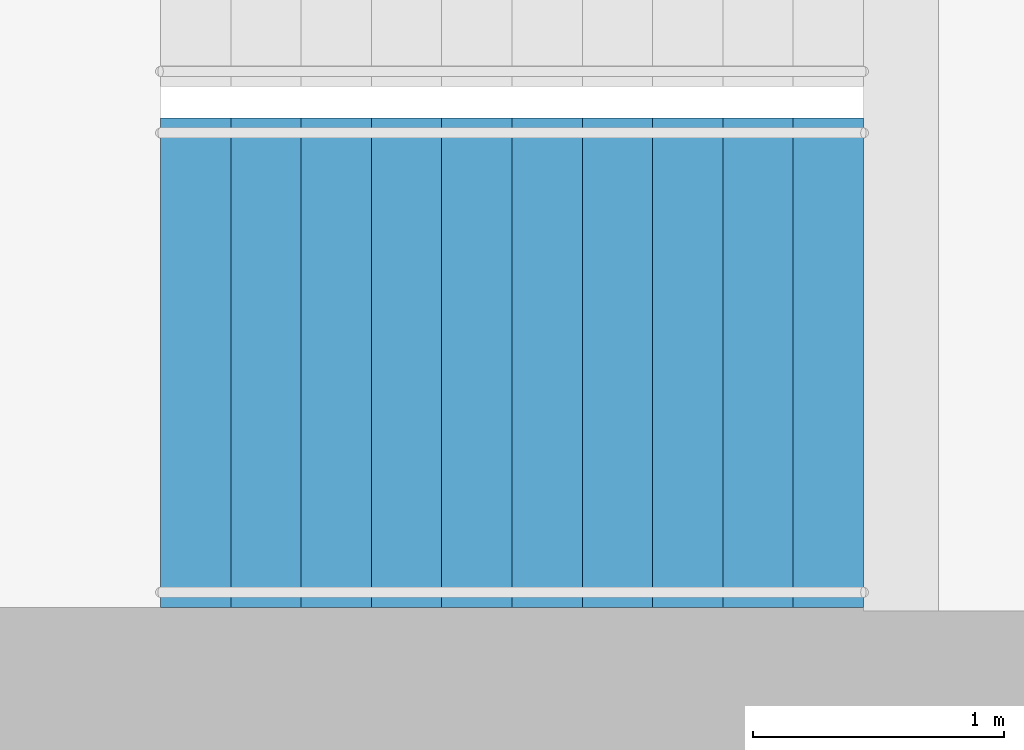
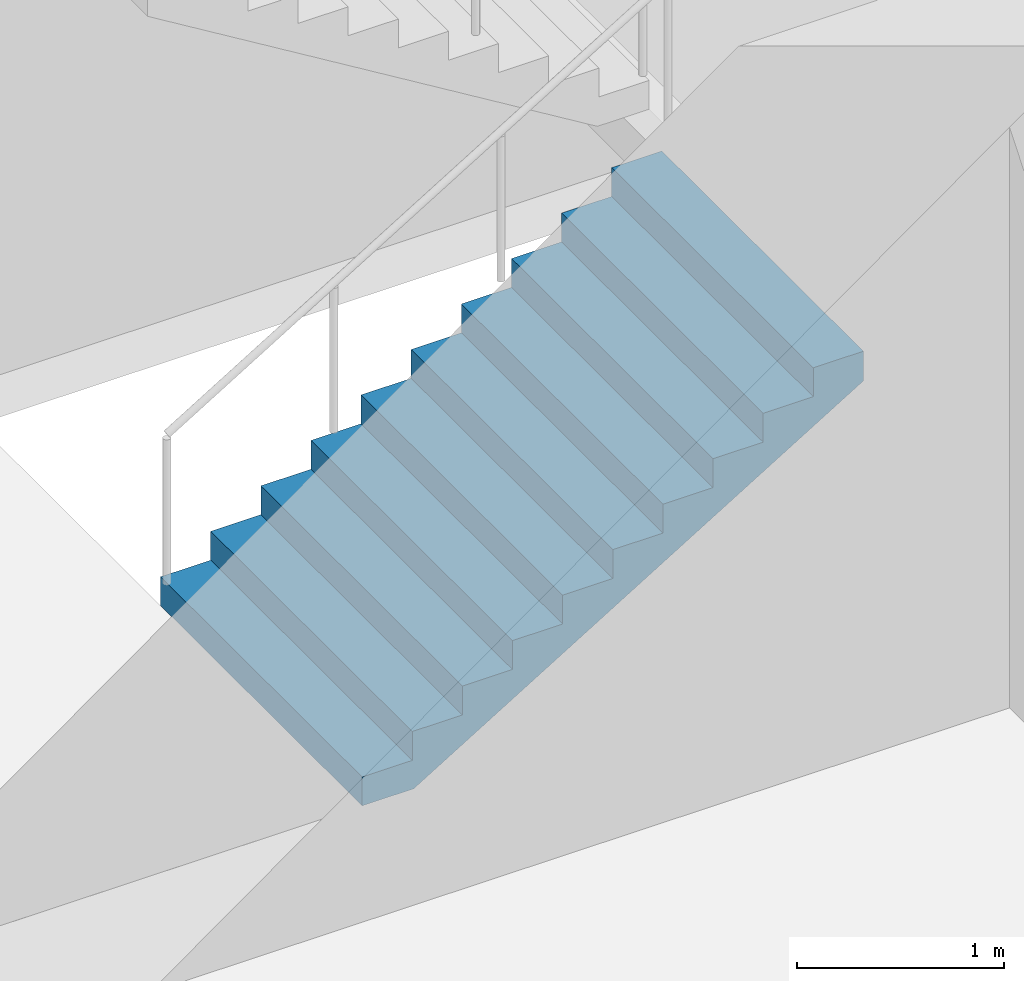
# One storey, part 18 of 22: 1 stair flight, 1 element without a shape of its own.
"""IFC4 building model written with IfcOpenShell, lengths in metres."""

from ifc_helpers import new_model, si_unit, direction, frame, origin, place, context, subcontext, project, spatial, triangles, material, type_object, element, aggregate, save


model = new_model("IFC4")

# Units and contexts
model_context = context("Model", 3, precision=1e-05, world=origin(), true_north=direction((0.0, 1.0)))
body_context = subcontext(model_context, "Body", "Model", "MODEL_VIEW")
ifc_project = project(units=[si_unit("LENGTHUNIT", "METRE"), si_unit("AREAUNIT", "SQUARE_METRE"), si_unit("VOLUMEUNIT", "CUBIC_METRE"), si_unit("PLANEANGLEUNIT", "RADIAN"), si_unit("MASSUNIT", "GRAM", prefix="KILO")], contexts=[model_context])

# Site, building, storey
site_placement = place(None, origin())
site = spatial("IfcSite", under=ifc_project, at=site_placement, CompositionType="ELEMENT")
building_placement = place(site_placement, origin())
building = spatial("IfcBuilding", under=site, at=building_placement, Name="Orbita Commons", CompositionType="ELEMENT")
storey_placement = place(building_placement, frame((0.0, 0.0, 186.10009765625)))
storey = spatial("IfcBuildingStorey", under=building, at=storey_placement, Name="L46", CompositionType="ELEMENT", Elevation=186.10009765625)

# Stair, stair flight
ifc_material_1 = material(Name="Precast concrete C40/50", Category="concrete")
stair_type = type_object("IfcStairType", Name="Exit stair S1 2 flights 11 risers 170", PredefinedType="HALF_TURN_STAIR", material=ifc_material_1)
stair_placement = place(storey_placement, origin())
stair = element("IfcStair", 1, at=stair_placement, inside=storey, type_object=stair_type, Name="Exit stair S1 L46", PredefinedType="HALF_TURN_STAIR")
ifc_material_2 = material(Name="Precast concrete C40/50", Category="concrete")
stair_flight_type = type_object("IfcStairFlightType", Name="Stair flight 11 risers 170 x 280", PredefinedType="STRAIGHT", material=ifc_material_2)
stair_flight_placement = place(storey_placement, frame((20.449951171875, 27.199951171875, 0.0), z_axis=(0.0, 0.0, 1.0), x_axis=(1.0, 0.0, 0.0)))
stair_flight = element("IfcStairFlight", 2, at=stair_flight_placement, type_object=stair_flight_type, Name="S1 flight 1", NumberOfRisers=11, NumberOfTreads=10, PredefinedType="STRAIGHT", RiserHeight=0.170454545, TreadLength=0.28, context=body_context, shape_type="Tessellation", body=[
    triangles([(0.0, 0.974976, 0.0), (0.0, 0.974976, 0.021307), (0.0, 0.81248, 0.021307), (0.0, 0.81248, 0.0), (0.0, 0.649984, 0.021307), (0.0, 0.649984, 0.0), (0.0, 0.487488, 0.021307), (0.0, 0.487488, 0.0), (0.0, 0.324992, 0.021307), (0.0, 0.324992, 0.0), (0.0, 0.162496, 0.021307), (0.0, 0.162496, 0.0), (0.0, 0.0, 0.021307), (0.0, 0.0, 0.0), (0.0, -0.162496, 0.021307), (0.0, -0.162496, 0.0), (0.0, -0.324992, 0.021307), (0.0, -0.324992, 0.0), (0.0, -0.487488, 0.021307), (0.0, -0.487488, 0.0), (0.0, -0.649984, 0.021307), (0.0, -0.649984, 0.0), (0.0, -0.81248, 0.021307), (0.0, -0.81248, 0.0), (0.0, -0.974976, 0.021307), (0.0, -0.974976, 0.0), (0.0, 0.974976, 0.042614), (0.0, 0.81248, 0.042614), (0.0, 0.649984, 0.042614), (0.0, 0.487488, 0.042614), (0.0, 0.324992, 0.042614), (0.0, 0.162496, 0.042614), (0.0, 0.0, 0.042614), (0.0, -0.162496, 0.042614), (0.0, -0.324992, 0.042614), (0.0, -0.487488, 0.042614), (0.0, -0.649984, 0.042614), (0.0, -0.81248, 0.042614), (0.0, -0.974976, 0.042614), (0.0, 0.974976, 0.06392), (0.0, 0.81248, 0.06392), (0.0, 0.649984, 0.06392), (0.0, 0.487488, 0.06392), (0.0, 0.324992, 0.06392), (0.0, 0.162496, 0.06392), (0.0, 0.0, 0.06392), (0.0, -0.162496, 0.06392), (0.0, -0.324992, 0.06392), (0.0, -0.487488, 0.06392), (0.0, -0.649984, 0.06392), (0.0, -0.81248, 0.06392), (0.0, -0.974976, 0.06392), (0.0, 0.974976, 0.085227), (0.0, 0.81248, 0.085227), (0.0, 0.649984, 0.085227), (0.0, 0.487488, 0.085227), (0.0, 0.324992, 0.085227), (0.0, 0.162496, 0.085227), (0.0, 0.0, 0.085227), (0.0, -0.162496, 0.085227), (0.0, -0.324992, 0.085227), (0.0, -0.487488, 0.085227), (0.0, -0.649984, 0.085227), (0.0, -0.81248, 0.085227), (0.0, -0.974976, 0.085227), (0.0, 0.974976, 0.106534), (0.0, 0.81248, 0.106534), (0.0, 0.649984, 0.106534), (0.0, 0.487488, 0.106534), (0.0, 0.324992, 0.106534), (0.0, 0.162496, 0.106534), (0.0, 0.0, 0.106534), (0.0, -0.162496, 0.106534), (0.0, -0.324992, 0.106534), (0.0, -0.487488, 0.106534), (0.0, -0.649984, 0.106534), (0.0, -0.81248, 0.106534), (0.0, -0.974976, 0.106534), (0.0, 0.974976, 0.127841), (0.0, 0.81248, 0.127841), (0.0, 0.649984, 0.127841), (0.0, 0.487488, 0.127841), (0.0, 0.324992, 0.127841), (0.0, 0.162496, 0.127841), (0.0, 0.0, 0.127841), (0.0, -0.162496, 0.127841), (0.0, -0.324992, 0.127841), (0.0, -0.487488, 0.127841), (0.0, -0.649984, 0.127841), (0.0, -0.81248, 0.127841), (0.0, -0.974976, 0.127841), (0.0, 0.974976, 0.149148), (0.0, 0.81248, 0.149148), (0.0, 0.649984, 0.149148), (0.0, 0.487488, 0.149148), (0.0, 0.324992, 0.149148), (0.0, 0.162496, 0.149148), (0.0, 0.0, 0.149148), (0.0, -0.162496, 0.149148), (0.0, -0.324992, 0.149148), (0.0, -0.487488, 0.149148), (0.0, -0.649984, 0.149148), (0.0, -0.81248, 0.149148), (0.0, -0.974976, 0.149148), (0.0, 0.974976, 0.170455), (0.0, 0.81248, 0.170455), (0.0, 0.649984, 0.170455), (0.0, 0.487488, 0.170455), (0.0, 0.324992, 0.170455), (0.0, 0.162496, 0.170455), (0.0, 0.0, 0.170455), (0.0, -0.162496, 0.170455), (0.0, -0.324992, 0.170455), (0.0, -0.487488, 0.170455), (0.0, -0.649984, 0.170455), (0.0, -0.81248, 0.170455), (0.0, -0.974976, 0.170455), (0.28, 0.974976, 0.170455), (0.28, 0.81248, 0.170455), (0.28, 0.649984, 0.170455), (0.28, 0.487488, 0.170455), (0.28, 0.324992, 0.170455), (0.28, 0.162496, 0.170455), (0.28, 0.0, 0.170455), (0.28, -0.162496, 0.170455), (0.28, -0.324992, 0.170455), (0.28, -0.487488, 0.170455), (0.28, -0.649984, 0.170455), (0.28, -0.81248, 0.170455), (0.28, -0.974976, 0.170455), (0.28, 0.974976, 0.340909), (0.28, 0.81248, 0.340909), (0.28, 0.649984, 0.340909), (0.28, 0.487488, 0.340909), (0.28, 0.324992, 0.340909), (0.28, 0.162496, 0.340909), (0.28, 0.0, 0.340909), (0.28, -0.162496, 0.340909), (0.28, -0.324992, 0.340909), (0.28, -0.487488, 0.340909), (0.28, -0.649984, 0.340909), (0.28, -0.81248, 0.340909), (0.28, -0.974976, 0.340909), (0.56, 0.974976, 0.340909), (0.56, 0.81248, 0.340909), (0.56, 0.649984, 0.340909), (0.56, 0.487488, 0.340909), (0.56, 0.324992, 0.340909), (0.56, 0.162496, 0.340909), (0.56, 0.0, 0.340909), (0.56, -0.162496, 0.340909), (0.56, -0.324992, 0.340909), (0.56, -0.487488, 0.340909), (0.56, -0.649984, 0.340909), (0.56, -0.81248, 0.340909), (0.56, -0.974976, 0.340909), (0.56, 0.974976, 0.511364), (0.56, 0.81248, 0.511364), (0.56, 0.649984, 0.511364), (0.56, 0.487488, 0.511364), (0.56, 0.324992, 0.511364), (0.56, 0.162496, 0.511364), (0.56, 0.0, 0.511364), (0.56, -0.162496, 0.511364), (0.56, -0.324992, 0.511364), (0.56, -0.487488, 0.511364), (0.56, -0.649984, 0.511364), (0.56, -0.81248, 0.511364), (0.56, -0.974976, 0.511364), (0.84, 0.974976, 0.511364), (0.84, 0.81248, 0.511364), (0.84, 0.649984, 0.511364), (0.84, 0.487488, 0.511364), (0.84, 0.324992, 0.511364), (0.84, 0.162496, 0.511364), (0.84, 0.0, 0.511364), (0.84, -0.162496, 0.511364), (0.84, -0.324992, 0.511364), (0.84, -0.487488, 0.511364), (0.84, -0.649984, 0.511364), (0.84, -0.81248, 0.511364), (0.84, -0.974976, 0.511364), (0.84, 0.974976, 0.681818), (0.84, 0.81248, 0.681818), (0.84, 0.649984, 0.681818), (0.84, 0.487488, 0.681818), (0.84, 0.324992, 0.681818), (0.84, 0.162496, 0.681818), (0.84, 0.0, 0.681818), (0.84, -0.162496, 0.681818), (0.84, -0.324992, 0.681818), (0.84, -0.487488, 0.681818), (0.84, -0.649984, 0.681818), (0.84, -0.81248, 0.681818), (0.84, -0.974976, 0.681818), (1.12, 0.974976, 0.681818), (1.12, 0.81248, 0.681818), (1.12, 0.649984, 0.681818), (1.12, 0.487488, 0.681818), (1.12, 0.324992, 0.681818), (1.12, 0.162496, 0.681818), (1.12, 0.0, 0.681818), (1.12, -0.162496, 0.681818), (1.12, -0.324992, 0.681818), (1.12, -0.487488, 0.681818), (1.12, -0.649984, 0.681818), (1.12, -0.81248, 0.681818), (1.12, -0.974976, 0.681818), (1.12, 0.974976, 0.852273), (1.12, 0.81248, 0.852273), (1.12, 0.649984, 0.852273), (1.12, 0.487488, 0.852273), (1.12, 0.324992, 0.852273), (1.12, 0.162496, 0.852273), (1.12, 0.0, 0.852273), (1.12, -0.162496, 0.852273), (1.12, -0.324992, 0.852273), (1.12, -0.487488, 0.852273), (1.12, -0.649984, 0.852273), (1.12, -0.81248, 0.852273), (1.12, -0.974976, 0.852273), (1.4, 0.974976, 0.852273), (1.4, 0.81248, 0.852273), (1.4, 0.649984, 0.852273), (1.4, 0.487488, 0.852273), (1.4, 0.324992, 0.852273), (1.4, 0.162496, 0.852273), (1.4, 0.0, 0.852273), (1.4, -0.162496, 0.852273), (1.4, -0.324992, 0.852273), (1.4, -0.487488, 0.852273), (1.4, -0.649984, 0.852273), (1.4, -0.81248, 0.852273), (1.4, -0.974976, 0.852273), (1.4, 0.974976, 1.022727), (1.4, 0.81248, 1.022727), (1.4, 0.649984, 1.022727), (1.4, 0.487488, 1.022727), (1.4, 0.324992, 1.022727), (1.4, 0.162496, 1.022727), (1.4, 0.0, 1.022727), (1.4, -0.162496, 1.022727), (1.4, -0.324992, 1.022727), (1.4, -0.487488, 1.022727), (1.4, -0.649984, 1.022727), (1.4, -0.81248, 1.022727), (1.4, -0.974976, 1.022727), (1.68, 0.974976, 1.022727), (1.68, 0.81248, 1.022727), (1.68, 0.649984, 1.022727), (1.68, 0.487488, 1.022727), (1.68, 0.324992, 1.022727), (1.68, 0.162496, 1.022727), (1.68, 0.0, 1.022727), (1.68, -0.162496, 1.022727), (1.68, -0.324992, 1.022727), (1.68, -0.487488, 1.022727), (1.68, -0.649984, 1.022727), (1.68, -0.81248, 1.022727), (1.68, -0.974976, 1.022727), (1.68, 0.974976, 1.193182), (1.68, 0.81248, 1.193182), (1.68, 0.649984, 1.193182), (1.68, 0.487488, 1.193182), (1.68, 0.324992, 1.193182), (1.68, 0.162496, 1.193182), (1.68, 0.0, 1.193182), (1.68, -0.162496, 1.193182), (1.68, -0.324992, 1.193182), (1.68, -0.487488, 1.193182), (1.68, -0.649984, 1.193182), (1.68, -0.81248, 1.193182), (1.68, -0.974976, 1.193182), (1.96, 0.974976, 1.193182), (1.96, 0.81248, 1.193182), (1.96, 0.649984, 1.193182), (1.96, 0.487488, 1.193182), (1.96, 0.324992, 1.193182), (1.96, 0.162496, 1.193182), (1.96, 0.0, 1.193182), (1.96, -0.162496, 1.193182), (1.96, -0.324992, 1.193182), (1.96, -0.487488, 1.193182), (1.96, -0.649984, 1.193182), (1.96, -0.81248, 1.193182), (1.96, -0.974976, 1.193182), (1.96, 0.974976, 1.363636), (1.96, 0.81248, 1.363636), (1.96, 0.649984, 1.363636), (1.96, 0.487488, 1.363636), (1.96, 0.324992, 1.363636), (1.96, 0.162496, 1.363636), (1.96, 0.0, 1.363636), (1.96, -0.162496, 1.363636), (1.96, -0.324992, 1.363636), (1.96, -0.487488, 1.363636), (1.96, -0.649984, 1.363636), (1.96, -0.81248, 1.363636), (1.96, -0.974976, 1.363636), (2.24, 0.974976, 1.363636), (2.24, 0.81248, 1.363636), (2.24, 0.649984, 1.363636), (2.24, 0.487488, 1.363636), (2.24, 0.324992, 1.363636), (2.24, 0.162496, 1.363636), (2.24, 0.0, 1.363636), (2.24, -0.162496, 1.363636), (2.24, -0.324992, 1.363636), (2.24, -0.487488, 1.363636), (2.24, -0.649984, 1.363636), (2.24, -0.81248, 1.363636), (2.24, -0.974976, 1.363636), (2.24, 0.974976, 1.534091), (2.24, 0.81248, 1.534091), (2.24, 0.649984, 1.534091), (2.24, 0.487488, 1.534091), (2.24, 0.324992, 1.534091), (2.24, 0.162496, 1.534091), (2.24, 0.0, 1.534091), (2.24, -0.162496, 1.534091), (2.24, -0.324992, 1.534091), (2.24, -0.487488, 1.534091), (2.24, -0.649984, 1.534091), (2.24, -0.81248, 1.534091), (2.24, -0.974976, 1.534091), (2.52, 0.974976, 1.534091), (2.52, 0.81248, 1.534091), (2.52, 0.649984, 1.534091), (2.52, 0.487488, 1.534091), (2.52, 0.324992, 1.534091), (2.52, 0.162496, 1.534091), (2.52, 0.0, 1.534091), (2.52, -0.162496, 1.534091), (2.52, -0.324992, 1.534091), (2.52, -0.487488, 1.534091), (2.52, -0.649984, 1.534091), (2.52, -0.81248, 1.534091), (2.52, -0.974976, 1.534091), (2.52, 0.974976, 1.704545), (2.52, 0.81248, 1.704545), (2.52, 0.649984, 1.704545), (2.52, 0.487488, 1.704545), (2.52, 0.324992, 1.704545), (2.52, 0.162496, 1.704545), (2.52, 0.0, 1.704545), (2.52, -0.162496, 1.704545), (2.52, -0.324992, 1.704545), (2.52, -0.487488, 1.704545), (2.52, -0.649984, 1.704545), (2.52, -0.81248, 1.704545), (2.52, -0.974976, 1.704545), (2.8, 0.974976, 1.704545), (2.8, 0.81248, 1.704545), (2.8, 0.649984, 1.704545), (2.8, 0.487488, 1.704545), (2.8, 0.324992, 1.704545), (2.8, 0.162496, 1.704545), (2.8, 0.0, 1.704545), (2.8, -0.162496, 1.704545), (2.8, -0.324992, 1.704545), (2.8, -0.487488, 1.704545), (2.8, -0.649984, 1.704545), (2.8, -0.81248, 1.704545), (2.8, -0.974976, 1.704545), (2.8, 0.974976, 1.682609), (2.8, 0.81248, 1.682609), (2.8, 0.649984, 1.682609), (2.8, 0.487488, 1.682609), (2.8, 0.324992, 1.682609), (2.8, 0.162496, 1.682609), (2.8, 0.0, 1.682609), (2.8, -0.162496, 1.682609), (2.8, -0.324992, 1.682609), (2.8, -0.487488, 1.682609), (2.8, -0.649984, 1.682609), (2.8, -0.81248, 1.682609), (2.8, -0.974976, 1.682609), (2.8, 0.974976, 1.660672), (2.8, 0.81248, 1.660672), (2.8, 0.649984, 1.660672), (2.8, 0.487488, 1.660672), (2.8, 0.324992, 1.660672), (2.8, 0.162496, 1.660672), (2.8, 0.0, 1.660672), (2.8, -0.162496, 1.660672), (2.8, -0.324992, 1.660672), (2.8, -0.487488, 1.660672), (2.8, -0.649984, 1.660672), (2.8, -0.81248, 1.660672), (2.8, -0.974976, 1.660672), (2.8, 0.974976, 1.638735), (2.8, 0.81248, 1.638735), (2.8, 0.649984, 1.638735), (2.8, 0.487488, 1.638735), (2.8, 0.324992, 1.638735), (2.8, 0.162496, 1.638735), (2.8, 0.0, 1.638735), (2.8, -0.162496, 1.638735), (2.8, -0.324992, 1.638735), (2.8, -0.487488, 1.638735), (2.8, -0.649984, 1.638735), (2.8, -0.81248, 1.638735), (2.8, -0.974976, 1.638735), (2.8, 0.974976, 1.616798), (2.8, 0.81248, 1.616798), (2.8, 0.649984, 1.616798), (2.8, 0.487488, 1.616798), (2.8, 0.324992, 1.616798), (2.8, 0.162496, 1.616798), (2.8, 0.0, 1.616798), (2.8, -0.162496, 1.616798), (2.8, -0.324992, 1.616798), (2.8, -0.487488, 1.616798), (2.8, -0.649984, 1.616798), (2.8, -0.81248, 1.616798), (2.8, -0.974976, 1.616798), (2.8, 0.974976, 1.594861), (2.8, 0.81248, 1.594861), (2.8, 0.649984, 1.594861), (2.8, 0.487488, 1.594861), (2.8, 0.324992, 1.594861), (2.8, 0.162496, 1.594861), (2.8, 0.0, 1.594861), (2.8, -0.162496, 1.594861), (2.8, -0.324992, 1.594861), (2.8, -0.487488, 1.594861), (2.8, -0.649984, 1.594861), (2.8, -0.81248, 1.594861), (2.8, -0.974976, 1.594861), (2.8, 0.974976, 1.572925), (2.8, 0.81248, 1.572925), (2.8, 0.649984, 1.572925), (2.8, 0.487488, 1.572925), (2.8, 0.324992, 1.572925), (2.8, 0.162496, 1.572925), (2.8, 0.0, 1.572925), (2.8, -0.162496, 1.572925), (2.8, -0.324992, 1.572925), (2.8, -0.487488, 1.572925), (2.8, -0.649984, 1.572925), (2.8, -0.81248, 1.572925), (2.8, -0.974976, 1.572925), (2.8, 0.974976, 1.550988), (2.8, 0.81248, 1.550988), (2.8, 0.649984, 1.550988), (2.8, 0.487488, 1.550988), (2.8, 0.324992, 1.550988), (2.8, 0.162496, 1.550988), (2.8, 0.0, 1.550988), (2.8, -0.162496, 1.550988), (2.8, -0.324992, 1.550988), (2.8, -0.487488, 1.550988), (2.8, -0.649984, 1.550988), (2.8, -0.81248, 1.550988), (2.8, -0.974976, 1.550988), (2.8, 0.974976, 1.529051), (2.8, 0.81248, 1.529051), (2.8, 0.649984, 1.529051), (2.8, 0.487488, 1.529051), (2.8, 0.324992, 1.529051), (2.8, 0.162496, 1.529051), (2.8, 0.0, 1.529051), (2.8, -0.162496, 1.529051), (2.8, -0.324992, 1.529051), (2.8, -0.487488, 1.529051), (2.8, -0.649984, 1.529051), (2.8, -0.81248, 1.529051), (2.8, -0.974976, 1.529051), (0.288279, 0.974976, 0.0), (0.288279, 0.81248, 0.0), (0.288279, 0.649984, 0.0), (0.288279, 0.487488, 0.0), (0.288279, 0.324992, 0.0), (0.288279, 0.162496, 0.0), (0.288279, 0.0, 0.0), (0.288279, -0.162496, 0.0), (0.288279, -0.324992, 0.0), (0.288279, -0.487488, 0.0), (0.288279, -0.649984, 0.0), (0.288279, -0.81248, 0.0), (0.288279, -0.974976, 0.0)], [[3, 2, 1], [4, 3, 1], [5, 3, 4], [6, 5, 4], [7, 5, 6], [8, 7, 6], [9, 7, 8], [10, 9, 8], [11, 9, 10], [12, 11, 10], [13, 11, 12], [14, 13, 12], [15, 13, 14], [16, 15, 14], [17, 15, 16], [18, 17, 16], [19, 17, 18], [20, 19, 18], [21, 19, 20], [22, 21, 20], [23, 21, 22], [24, 23, 22], [25, 23, 24], [26, 25, 24], [28, 27, 2], [3, 28, 2], [29, 28, 3], [5, 29, 3], [30, 29, 5], [7, 30, 5], [31, 30, 7], [9, 31, 7], [32, 31, 9], [11, 32, 9], [33, 32, 11], [13, 33, 11], [34, 33, 13], [15, 34, 13], [35, 34, 15], [17, 35, 15], [36, 35, 17], [19, 36, 17], [37, 36, 19], [21, 37, 19], [38, 37, 21], [23, 38, 21], [39, 38, 23], [25, 39, 23], [41, 40, 27], [28, 41, 27], [42, 41, 28], [29, 42, 28], [43, 42, 29], [30, 43, 29], [44, 43, 30], [31, 44, 30], [45, 44, 31], [32, 45, 31], [46, 45, 32], [33, 46, 32], [47, 46, 33], [34, 47, 33], [48, 47, 34], [35, 48, 34], [49, 48, 35], [36, 49, 35], [50, 49, 36], [37, 50, 36], [51, 50, 37], [38, 51, 37], [52, 51, 38], [39, 52, 38], [54, 53, 40], [41, 54, 40], [55, 54, 41], [42, 55, 41], [56, 55, 42], [43, 56, 42], [57, 56, 43], [44, 57, 43], [58, 57, 44], [45, 58, 44], [59, 58, 45], [46, 59, 45], [60, 59, 46], [47, 60, 46], [61, 60, 47], [48, 61, 47], [62, 61, 48], [49, 62, 48], [63, 62, 49], [50, 63, 49], [64, 63, 50], [51, 64, 50], [65, 64, 51], [52, 65, 51], [67, 66, 53], [54, 67, 53], [68, 67, 54], [55, 68, 54], [69, 68, 55], [56, 69, 55], [70, 69, 56], [57, 70, 56], [71, 70, 57], [58, 71, 57], [72, 71, 58], [59, 72, 58], [73, 72, 59], [60, 73, 59], [74, 73, 60], [61, 74, 60], [75, 74, 61], [62, 75, 61], [76, 75, 62], [63, 76, 62], [77, 76, 63], [64, 77, 63], [78, 77, 64], [65, 78, 64], [80, 79, 66], [67, 80, 66], [81, 80, 67], [68, 81, 67], [82, 81, 68], [69, 82, 68], [83, 82, 69], [70, 83, 69], [84, 83, 70], [71, 84, 70], [85, 84, 71], [72, 85, 71], [86, 85, 72], [73, 86, 72], [87, 86, 73], [74, 87, 73], [88, 87, 74], [75, 88, 74], [89, 88, 75], [76, 89, 75], [90, 89, 76], [77, 90, 76], [91, 90, 77], [78, 91, 77], [93, 92, 79], [80, 93, 79], [94, 93, 80], [81, 94, 80], [95, 94, 81], [82, 95, 81], [96, 95, 82], [83, 96, 82], [97, 96, 83], [84, 97, 83], [98, 97, 84], [85, 98, 84], [99, 98, 85], [86, 99, 85], [100, 99, 86], [87, 100, 86], [101, 100, 87], [88, 101, 87], [102, 101, 88], [89, 102, 88], [103, 102, 89], [90, 103, 89], [104, 103, 90], [91, 104, 90], [106, 105, 92], [93, 106, 92], [107, 106, 93], [94, 107, 93], [108, 107, 94], [95, 108, 94], [109, 108, 95], [96, 109, 95], [110, 109, 96], [97, 110, 96], [111, 110, 97], [98, 111, 97], [112, 111, 98], [99, 112, 98], [113, 112, 99], [100, 113, 99], [114, 113, 100], [101, 114, 100], [115, 114, 101], [102, 115, 101], [116, 115, 102], [103, 116, 102], [117, 116, 103], [104, 117, 103], [119, 118, 105], [106, 119, 105], [120, 119, 106], [107, 120, 106], [121, 120, 107], [108, 121, 107], [122, 121, 108], [109, 122, 108], [123, 122, 109], [110, 123, 109], [124, 123, 110], [111, 124, 110], [125, 124, 111], [112, 125, 111], [126, 125, 112], [113, 126, 112], [127, 126, 113], [114, 127, 113], [128, 127, 114], [115, 128, 114], [129, 128, 115], [116, 129, 115], [130, 129, 116], [117, 130, 116], [132, 131, 118], [119, 132, 118], [133, 132, 119], [120, 133, 119], [134, 133, 120], [121, 134, 120], [135, 134, 121], [122, 135, 121], [136, 135, 122], [123, 136, 122], [137, 136, 123], [124, 137, 123], [138, 137, 124], [125, 138, 124], [139, 138, 125], [126, 139, 125], [140, 139, 126], [127, 140, 126], [141, 140, 127], [128, 141, 127], [142, 141, 128], [129, 142, 128], [143, 142, 129], [130, 143, 129], [145, 144, 131], [132, 145, 131], [146, 145, 132], [133, 146, 132], [147, 146, 133], [134, 147, 133], [148, 147, 134], [135, 148, 134], [149, 148, 135], [136, 149, 135], [150, 149, 136], [137, 150, 136], [151, 150, 137], [138, 151, 137], [152, 151, 138], [139, 152, 138], [153, 152, 139], [140, 153, 139], [154, 153, 140], [141, 154, 140], [155, 154, 141], [142, 155, 141], [156, 155, 142], [143, 156, 142], [158, 157, 144], [145, 158, 144], [159, 158, 145], [146, 159, 145], [160, 159, 146], [147, 160, 146], [161, 160, 147], [148, 161, 147], [162, 161, 148], [149, 162, 148], [163, 162, 149], [150, 163, 149], [164, 163, 150], [151, 164, 150], [165, 164, 151], [152, 165, 151], [166, 165, 152], [153, 166, 152], [167, 166, 153], [154, 167, 153], [168, 167, 154], [155, 168, 154], [169, 168, 155], [156, 169, 155], [171, 170, 157], [158, 171, 157], [172, 171, 158], [159, 172, 158], [173, 172, 159], [160, 173, 159], [174, 173, 160], [161, 174, 160], [175, 174, 161], [162, 175, 161], [176, 175, 162], [163, 176, 162], [177, 176, 163], [164, 177, 163], [178, 177, 164], [165, 178, 164], [179, 178, 165], [166, 179, 165], [180, 179, 166], [167, 180, 166], [181, 180, 167], [168, 181, 167], [182, 181, 168], [169, 182, 168], [184, 183, 170], [171, 184, 170], [185, 184, 171], [172, 185, 171], [186, 185, 172], [173, 186, 172], [187, 186, 173], [174, 187, 173], [188, 187, 174], [175, 188, 174], [189, 188, 175], [176, 189, 175], [190, 189, 176], [177, 190, 176], [191, 190, 177], [178, 191, 177], [192, 191, 178], [179, 192, 178], [193, 192, 179], [180, 193, 179], [194, 193, 180], [181, 194, 180], [195, 194, 181], [182, 195, 181], [197, 196, 183], [184, 197, 183], [198, 197, 184], [185, 198, 184], [199, 198, 185], [186, 199, 185], [200, 199, 186], [187, 200, 186], [201, 200, 187], [188, 201, 187], [202, 201, 188], [189, 202, 188], [203, 202, 189], [190, 203, 189], [204, 203, 190], [191, 204, 190], [205, 204, 191], [192, 205, 191], [206, 205, 192], [193, 206, 192], [207, 206, 193], [194, 207, 193], [208, 207, 194], [195, 208, 194], [210, 209, 196], [197, 210, 196], [211, 210, 197], [198, 211, 197], [212, 211, 198], [199, 212, 198], [213, 212, 199], [200, 213, 199], [214, 213, 200], [201, 214, 200], [215, 214, 201], [202, 215, 201], [216, 215, 202], [203, 216, 202], [217, 216, 203], [204, 217, 203], [218, 217, 204], [205, 218, 204], [219, 218, 205], [206, 219, 205], [220, 219, 206], [207, 220, 206], [221, 220, 207], [208, 221, 207], [223, 222, 209], [210, 223, 209], [224, 223, 210], [211, 224, 210], [225, 224, 211], [212, 225, 211], [226, 225, 212], [213, 226, 212], [227, 226, 213], [214, 227, 213], [228, 227, 214], [215, 228, 214], [229, 228, 215], [216, 229, 215], [230, 229, 216], [217, 230, 216], [231, 230, 217], [218, 231, 217], [232, 231, 218], [219, 232, 218], [233, 232, 219], [220, 233, 219], [234, 233, 220], [221, 234, 220], [236, 235, 222], [223, 236, 222], [237, 236, 223], [224, 237, 223], [238, 237, 224], [225, 238, 224], [239, 238, 225], [226, 239, 225], [240, 239, 226], [227, 240, 226], [241, 240, 227], [228, 241, 227], [242, 241, 228], [229, 242, 228], [243, 242, 229], [230, 243, 229], [244, 243, 230], [231, 244, 230], [245, 244, 231], [232, 245, 231], [246, 245, 232], [233, 246, 232], [247, 246, 233], [234, 247, 233], [249, 248, 235], [236, 249, 235], [250, 249, 236], [237, 250, 236], [251, 250, 237], [238, 251, 237], [252, 251, 238], [239, 252, 238], [253, 252, 239], [240, 253, 239], [254, 253, 240], [241, 254, 240], [255, 254, 241], [242, 255, 241], [256, 255, 242], [243, 256, 242], [257, 256, 243], [244, 257, 243], [258, 257, 244], [245, 258, 244], [259, 258, 245], [246, 259, 245], [260, 259, 246], [247, 260, 246], [262, 261, 248], [249, 262, 248], [263, 262, 249], [250, 263, 249], [264, 263, 250], [251, 264, 250], [265, 264, 251], [252, 265, 251], [266, 265, 252], [253, 266, 252], [267, 266, 253], [254, 267, 253], [268, 267, 254], [255, 268, 254], [269, 268, 255], [256, 269, 255], [270, 269, 256], [257, 270, 256], [271, 270, 257], [258, 271, 257], [272, 271, 258], [259, 272, 258], [273, 272, 259], [260, 273, 259], [275, 274, 261], [262, 275, 261], [276, 275, 262], [263, 276, 262], [277, 276, 263], [264, 277, 263], [278, 277, 264], [265, 278, 264], [279, 278, 265], [266, 279, 265], [280, 279, 266], [267, 280, 266], [281, 280, 267], [268, 281, 267], [282, 281, 268], [269, 282, 268], [283, 282, 269], [270, 283, 269], [284, 283, 270], [271, 284, 270], [285, 284, 271], [272, 285, 271], [286, 285, 272], [273, 286, 272], [288, 287, 274], [275, 288, 274], [289, 288, 275], [276, 289, 275], [290, 289, 276], [277, 290, 276], [291, 290, 277], [278, 291, 277], [292, 291, 278], [279, 292, 278], [293, 292, 279], [280, 293, 279], [294, 293, 280], [281, 294, 280], [295, 294, 281], [282, 295, 281], [296, 295, 282], [283, 296, 282], [297, 296, 283], [284, 297, 283], [298, 297, 284], [285, 298, 284], [299, 298, 285], [286, 299, 285], [301, 300, 287], [288, 301, 287], [302, 301, 288], [289, 302, 288], [303, 302, 289], [290, 303, 289], [304, 303, 290], [291, 304, 290], [305, 304, 291], [292, 305, 291], [306, 305, 292], [293, 306, 292], [307, 306, 293], [294, 307, 293], [308, 307, 294], [295, 308, 294], [309, 308, 295], [296, 309, 295], [310, 309, 296], [297, 310, 296], [311, 310, 297], [298, 311, 297], [312, 311, 298], [299, 312, 298], [314, 313, 300], [301, 314, 300], [315, 314, 301], [302, 315, 301], [316, 315, 302], [303, 316, 302], [317, 316, 303], [304, 317, 303], [318, 317, 304], [305, 318, 304], [319, 318, 305], [306, 319, 305], [320, 319, 306], [307, 320, 306], [321, 320, 307], [308, 321, 307], [322, 321, 308], [309, 322, 308], [323, 322, 309], [310, 323, 309], [324, 323, 310], [311, 324, 310], [325, 324, 311], [312, 325, 311], [327, 326, 313], [314, 327, 313], [328, 327, 314], [315, 328, 314], [329, 328, 315], [316, 329, 315], [330, 329, 316], [317, 330, 316], [331, 330, 317], [318, 331, 317], [332, 331, 318], [319, 332, 318], [333, 332, 319], [320, 333, 319], [334, 333, 320], [321, 334, 320], [335, 334, 321], [322, 335, 321], [336, 335, 322], [323, 336, 322], [337, 336, 323], [324, 337, 323], [338, 337, 324], [325, 338, 324], [340, 339, 326], [327, 340, 326], [341, 340, 327], [328, 341, 327], [342, 341, 328], [329, 342, 328], [343, 342, 329], [330, 343, 329], [344, 343, 330], [331, 344, 330], [345, 344, 331], [332, 345, 331], [346, 345, 332], [333, 346, 332], [347, 346, 333], [334, 347, 333], [348, 347, 334], [335, 348, 334], [349, 348, 335], [336, 349, 335], [350, 349, 336], [337, 350, 336], [351, 350, 337], [338, 351, 337], [353, 352, 339], [340, 353, 339], [354, 353, 340], [341, 354, 340], [355, 354, 341], [342, 355, 341], [356, 355, 342], [343, 356, 342], [357, 356, 343], [344, 357, 343], [358, 357, 344], [345, 358, 344], [359, 358, 345], [346, 359, 345], [360, 359, 346], [347, 360, 346], [361, 360, 347], [348, 361, 347], [362, 361, 348], [349, 362, 348], [363, 362, 349], [350, 363, 349], [364, 363, 350], [351, 364, 350], [366, 365, 352], [353, 366, 352], [367, 366, 353], [354, 367, 353], [368, 367, 354], [355, 368, 354], [369, 368, 355], [356, 369, 355], [370, 369, 356], [357, 370, 356], [371, 370, 357], [358, 371, 357], [372, 371, 358], [359, 372, 358], [373, 372, 359], [360, 373, 359], [374, 373, 360], [361, 374, 360], [375, 374, 361], [362, 375, 361], [376, 375, 362], [363, 376, 362], [377, 376, 363], [364, 377, 363], [379, 378, 365], [366, 379, 365], [380, 379, 366], [367, 380, 366], [381, 380, 367], [368, 381, 367], [382, 381, 368], [369, 382, 368], [383, 382, 369], [370, 383, 369], [384, 383, 370], [371, 384, 370], [385, 384, 371], [372, 385, 371], [386, 385, 372], [373, 386, 372], [387, 386, 373], [374, 387, 373], [388, 387, 374], [375, 388, 374], [389, 388, 375], [376, 389, 375], [390, 389, 376], [377, 390, 376], [392, 391, 378], [379, 392, 378], [393, 392, 379], [380, 393, 379], [394, 393, 380], [381, 394, 380], [395, 394, 381], [382, 395, 381], [396, 395, 382], [383, 396, 382], [397, 396, 383], [384, 397, 383], [398, 397, 384], [385, 398, 384], [399, 398, 385], [386, 399, 385], [400, 399, 386], [387, 400, 386], [401, 400, 387], [388, 401, 387], [402, 401, 388], [389, 402, 388], [403, 402, 389], [390, 403, 389], [405, 404, 391], [392, 405, 391], [406, 405, 392], [393, 406, 392], [407, 406, 393], [394, 407, 393], [408, 407, 394], [395, 408, 394], [409, 408, 395], [396, 409, 395], [410, 409, 396], [397, 410, 396], [411, 410, 397], [398, 411, 397], [412, 411, 398], [399, 412, 398], [413, 412, 399], [400, 413, 399], [414, 413, 400], [401, 414, 400], [415, 414, 401], [402, 415, 401], [416, 415, 402], [403, 416, 402], [418, 417, 404], [405, 418, 404], [419, 418, 405], [406, 419, 405], [420, 419, 406], [407, 420, 406], [421, 420, 407], [408, 421, 407], [422, 421, 408], [409, 422, 408], [423, 422, 409], [410, 423, 409], [424, 423, 410], [411, 424, 410], [425, 424, 411], [412, 425, 411], [426, 425, 412], [413, 426, 412], [427, 426, 413], [414, 427, 413], [428, 427, 414], [415, 428, 414], [429, 428, 415], [416, 429, 415], [431, 430, 417], [418, 431, 417], [432, 431, 418], [419, 432, 418], [433, 432, 419], [420, 433, 419], [434, 433, 420], [421, 434, 420], [435, 434, 421], [422, 435, 421], [436, 435, 422], [423, 436, 422], [437, 436, 423], [424, 437, 423], [438, 437, 424], [425, 438, 424], [439, 438, 425], [426, 439, 425], [440, 439, 426], [427, 440, 426], [441, 440, 427], [428, 441, 427], [442, 441, 428], [429, 442, 428], [444, 443, 430], [431, 444, 430], [445, 444, 431], [432, 445, 431], [446, 445, 432], [433, 446, 432], [447, 446, 433], [434, 447, 433], [448, 447, 434], [435, 448, 434], [449, 448, 435], [436, 449, 435], [450, 449, 436], [437, 450, 436], [451, 450, 437], [438, 451, 437], [452, 451, 438], [439, 452, 438], [453, 452, 439], [440, 453, 439], [454, 453, 440], [441, 454, 440], [455, 454, 441], [442, 455, 441], [457, 456, 443], [444, 457, 443], [458, 457, 444], [445, 458, 444], [459, 458, 445], [446, 459, 445], [460, 459, 446], [447, 460, 446], [461, 460, 447], [448, 461, 447], [462, 461, 448], [449, 462, 448], [463, 462, 449], [450, 463, 449], [464, 463, 450], [451, 464, 450], [465, 464, 451], [452, 465, 451], [466, 465, 452], [453, 466, 452], [467, 466, 453], [454, 467, 453], [468, 467, 454], [455, 468, 454], [470, 469, 456], [457, 470, 456], [471, 470, 457], [458, 471, 457], [472, 471, 458], [459, 472, 458], [473, 472, 459], [460, 473, 459], [474, 473, 460], [461, 474, 460], [475, 474, 461], [462, 475, 461], [476, 475, 462], [463, 476, 462], [477, 476, 463], [464, 477, 463], [478, 477, 464], [465, 478, 464], [479, 478, 465], [466, 479, 465], [480, 479, 466], [467, 480, 466], [481, 480, 467], [468, 481, 467], [4, 1, 469], [470, 4, 469], [6, 4, 470], [471, 6, 470], [8, 6, 471], [472, 8, 471], [10, 8, 472], [473, 10, 472], [12, 10, 473], [474, 12, 473], [14, 12, 474], [475, 14, 474], [16, 14, 475], [476, 16, 475], [18, 16, 476], [477, 18, 476], [20, 18, 477], [478, 20, 477], [22, 20, 478], [479, 22, 478], [24, 22, 479], [480, 24, 479], [26, 24, 480], [481, 26, 480], [456, 469, 1], [26, 481, 468], [443, 456, 1], [26, 468, 455], [430, 443, 1], [26, 455, 442], [417, 430, 1], [26, 442, 429], [404, 417, 1], [26, 429, 416], [391, 404, 1], [26, 416, 403], [378, 391, 1], [26, 403, 390], [365, 378, 1], [26, 390, 377], [339, 352, 365], [377, 364, 351], [326, 339, 365], [377, 351, 338], [300, 313, 326], [338, 325, 312], [300, 326, 365], [377, 338, 312], [274, 287, 300], [312, 299, 286], [274, 300, 365], [377, 312, 286], [248, 261, 274], [286, 273, 260], [248, 274, 365], [377, 286, 260], [222, 235, 248], [260, 247, 234], [222, 248, 365], [377, 260, 234], [196, 209, 222], [234, 221, 208], [196, 222, 365], [377, 234, 208], [170, 183, 196], [208, 195, 182], [170, 196, 365], [377, 208, 182], [144, 157, 170], [182, 169, 156], [144, 170, 365], [377, 182, 156], [118, 131, 144], [156, 143, 130], [118, 144, 365], [377, 156, 130], [118, 365, 1], [26, 377, 130], [92, 105, 118], [130, 117, 104], [79, 92, 118], [130, 104, 91], [66, 79, 118], [130, 91, 78], [53, 66, 118], [130, 78, 65], [40, 53, 118], [130, 65, 52], [27, 40, 118], [130, 52, 39], [2, 27, 118], [130, 39, 25], [1, 2, 118], [130, 25, 26]], closed=True),
])
aggregate(stair, [stair_flight])

save(model, "model.ifc")
